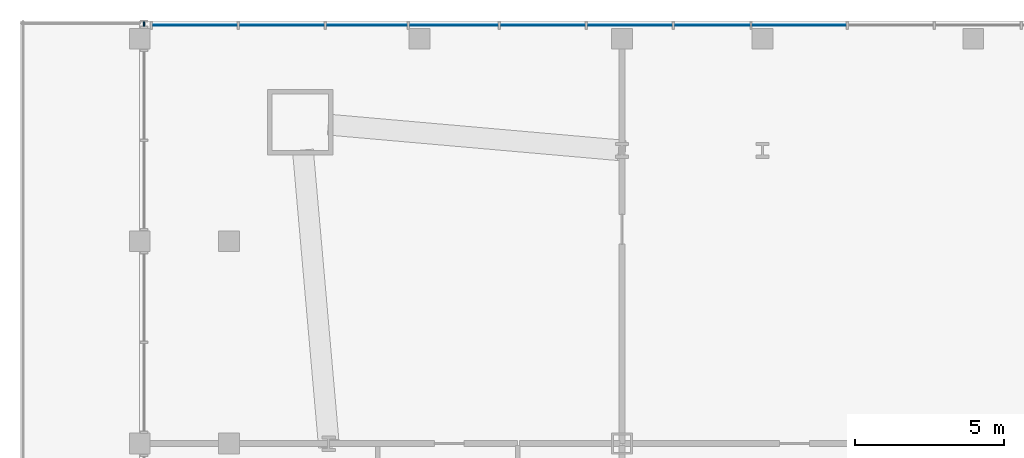
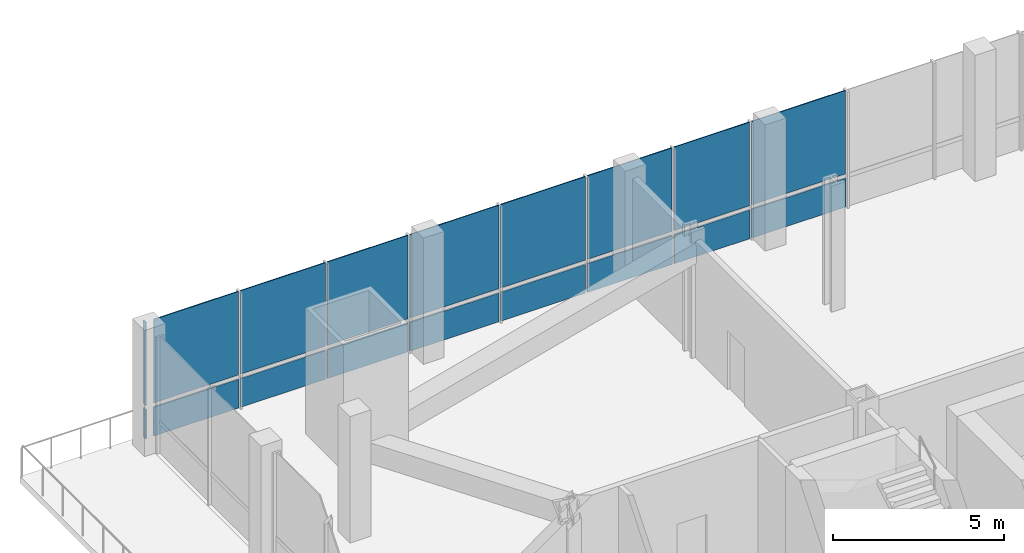
# One storey, part 10 of 15: 18 plates, 2 elements without a shape of their own.
"""IFC4 building model written with IfcOpenShell, lengths in metres."""

from ifc_helpers import new_model, si_unit, direction, frame, origin, origin_2d, place, context, subcontext, project, spatial, rectangle, extrude, material, layer, layer_set, type_object, element, aggregate, save


model = new_model("IFC4")

# Units and contexts
model_context = context("Model", 3, precision=1e-05, world=origin(), true_north=direction((0.0, 1.0)))
body_context = subcontext(model_context, "Body", "Model", "MODEL_VIEW")
ifc_project = project(units=[si_unit("LENGTHUNIT", "METRE"), si_unit("AREAUNIT", "SQUARE_METRE"), si_unit("VOLUMEUNIT", "CUBIC_METRE"), si_unit("PLANEANGLEUNIT", "RADIAN"), si_unit("MASSUNIT", "GRAM", prefix="KILO")], contexts=[model_context])

# Site, building, storey
site_placement = place(None, origin())
site = spatial("IfcSite", under=ifc_project, at=site_placement, CompositionType="ELEMENT")
building_placement = place(site_placement, origin())
building = spatial("IfcBuilding", under=site, at=building_placement, Name="Turquesa Mirador Hotel Tower", CompositionType="ELEMENT")
storey_placement = place(building_placement, frame((0.0, 0.0, 16.0)))
storey = spatial("IfcBuildingStorey", under=building, at=storey_placement, Name="L03", CompositionType="ELEMENT", Elevation=16.0)

# Curtain wall, plates
ifc_material_1 = material(Name="Aluminium extrusion", Category="aluminium")
curtain_wall_type = type_object("IfcCurtainWallType", Name="CW-3 PODIUM UPPER CURTAIN WALL", PredefinedType="USERDEFINED", material=ifc_material_1)
curtain_wall_1_placement = place(storey_placement, origin())
curtain_wall_1 = element("IfcCurtainWall", 1, at=curtain_wall_1_placement, inside=storey, type_object=curtain_wall_type, Name="CW-3 PODIUM UPPER CURTAIN WALL L03", ObjectType="CURTAIN WALL", PredefinedType="USERDEFINED")
ifc_material_2 = material(Name="Ceramic-printed spandrel glass on an insulated back pan", Category="glass")
ifc_layer_1 = layer(ifc_material_2, 0.050048828125)
ifc_layer_set_1 = layer_set([ifc_layer_1], Name="CW PANEL SPANDREL CERAMIC")
plate_type_1 = type_object("IfcPlateType", Name="CW PANEL SPANDREL CERAMIC", PredefinedType="CURTAIN_PANEL", material=ifc_layer_set_1)
plate_1_placement = place(storey_placement, frame((49.15234375, 70.85009765625, 0.0), z_axis=(0.0, 0.0, 1.0), x_axis=(-1.0, 0.0, 0.0)))
plate_1 = element("IfcPlate", 2, at=plate_1_placement, type_object=plate_type_1, Name="Panel", PredefinedType="CURTAIN_PANEL", context=body_context, shape_type="SweptSolid", body=[
    extrude(rectangle(XDim=3.168701171875, YDim=0.050048828125, at=origin_2d()), origin(), (0.0, 0.0, 1.0), 1.02490234375),
])
plate_2_placement = place(storey_placement, frame((46.229248046875, 70.85009765625, 0.0), z_axis=(0.0, 0.0, 1.0), x_axis=(-1.0, 0.0, 0.0)))
plate_2 = element("IfcPlate", 3, at=plate_2_placement, type_object=plate_type_1, Name="Panel", PredefinedType="CURTAIN_PANEL", context=body_context, shape_type="SweptSolid", body=[
    extrude(rectangle(XDim=2.547607421875, YDim=0.050048828125, at=origin_2d()), origin(), (0.0, 0.0, 1.0), 1.02490234375),
])
plate_3_placement = place(storey_placement, frame((43.46142578125, 70.85009765625, 0.0), z_axis=(0.0, 0.0, 1.0), x_axis=(-1.0, 0.0, 0.0)))
plate_3 = element("IfcPlate", 4, at=plate_3_placement, type_object=plate_type_1, Name="Panel", PredefinedType="CURTAIN_PANEL", context=body_context, shape_type="SweptSolid", body=[
    extrude(rectangle(XDim=2.858154296875, YDim=0.050048828125, at=origin_2d()), origin(), (0.0, 0.0, 1.0), 1.02490234375),
])
plate_4_placement = place(storey_placement, frame((40.538330078125, 70.85009765625, 0.0), z_axis=(0.0, 0.0, 1.0), x_axis=(-1.0, 0.0, 0.0)))
plate_4 = element("IfcPlate", 5, at=plate_4_placement, type_object=plate_type_1, Name="Panel", PredefinedType="CURTAIN_PANEL", context=body_context, shape_type="SweptSolid", body=[
    extrude(rectangle(XDim=2.858154296875, YDim=0.050048828125, at=origin_2d()), origin(), (0.0, 0.0, 1.0), 1.02490234375),
])
plate_5_placement = place(storey_placement, frame((37.546142578125, 70.85009765625, 0.0), z_axis=(0.0, 0.0, 1.0), x_axis=(-1.0, 0.0, 0.0)))
plate_5 = element("IfcPlate", 6, at=plate_5_placement, type_object=plate_type_1, Name="Panel", PredefinedType="CURTAIN_PANEL", context=body_context, shape_type="SweptSolid", body=[
    extrude(rectangle(XDim=2.996337890625, YDim=0.050048828125, at=origin_2d()), origin(), (0.0, 0.0, 1.0), 1.02490234375),
])
plate_6_placement = place(storey_placement, frame((34.623046875, 70.85009765625, 0.0), z_axis=(0.0, 0.0, 1.0), x_axis=(-1.0, 0.0, 0.0)))
plate_6 = element("IfcPlate", 7, at=plate_6_placement, type_object=plate_type_1, Name="Panel", PredefinedType="CURTAIN_PANEL", context=body_context, shape_type="SweptSolid", body=[
    extrude(rectangle(XDim=2.7197265625, YDim=0.050048828125, at=origin_2d()), origin(), (0.0, 0.0, 1.0), 1.02490234375),
])
plate_7_placement = place(storey_placement, frame((31.76904296875, 70.85009765625, 0.0), z_axis=(0.0, 0.0, 1.0), x_axis=(-1.0, 0.0, 0.0)))
plate_7 = element("IfcPlate", 8, at=plate_7_placement, type_object=plate_type_1, Name="Panel", PredefinedType="CURTAIN_PANEL", context=body_context, shape_type="SweptSolid", body=[
    extrude(rectangle(XDim=2.858154296875, YDim=0.050048828125, at=origin_2d()), origin(), (0.0, 0.0, 1.0), 1.02490234375),
])
plate_8_placement = place(storey_placement, frame((28.845947265625, 70.85009765625, 0.0), z_axis=(0.0, 0.0, 1.0), x_axis=(-1.0, 0.0, 0.0)))
plate_8 = element("IfcPlate", 9, at=plate_8_placement, type_object=plate_type_1, Name="Panel", PredefinedType="CURTAIN_PANEL", context=body_context, shape_type="SweptSolid", body=[
    extrude(rectangle(XDim=2.858154296875, YDim=0.050048828125, at=origin_2d()), origin(), (0.0, 0.0, 1.0), 1.02490234375),
])

# Curtain wall, plate
curtain_wall_2_placement = place(storey_placement, origin())
curtain_wall_2 = element("IfcCurtainWall", 10, at=curtain_wall_2_placement, inside=storey, type_object=curtain_wall_type, Name="CW-3 PODIUM UPPER CURTAIN WALL L03", ObjectType="CURTAIN WALL", PredefinedType="USERDEFINED")
plate_9_placement = place(storey_placement, frame((27.14990234375, 70.892333984375, 0.0), z_axis=(0.0, 0.0, 1.0), x_axis=(0.0, -1.0, 0.0)))
plate_9 = element("IfcPlate", 11, at=plate_9_placement, type_object=plate_type_1, Name="Panel", PredefinedType="CURTAIN_PANEL", context=body_context, shape_type="SweptSolid", body=[
    extrude(rectangle(XDim=0.150390625, YDim=0.050048828125, at=origin_2d()), origin(), (0.0, 0.0, 1.0), 1.02490234375),
])

# Plate
ifc_material_3 = material(Name="Ceramic-fritted laminated glass", Category="glass")
ifc_layer_2 = layer(ifc_material_3, 0.031982421875)
ifc_layer_set_2 = layer_set([ifc_layer_2], Name="CW PANEL VISION FRITTED")
plate_type_2 = type_object("IfcPlateType", Name="CW PANEL VISION FRITTED", PredefinedType="CURTAIN_PANEL", material=ifc_layer_set_2)
plate_10_placement = place(storey_placement, frame((49.15234375, 70.85009765625, 1.175048828125), z_axis=(0.0, 0.0, 1.0), x_axis=(-1.0, 0.0, 0.0)))
plate_10 = element("IfcPlate", 12, at=plate_10_placement, type_object=plate_type_2, Name="Panel", PredefinedType="CURTAIN_PANEL", context=body_context, shape_type="SweptSolid", body=[
    extrude(rectangle(XDim=3.168701171875, YDim=0.031982421875, at=origin_2d()), origin(), (0.0, 0.0, 1.0), 2.97509765625),
])

plate_11_placement = place(storey_placement, frame((46.229248046875, 70.85009765625, 1.175048828125), z_axis=(0.0, 0.0, 1.0), x_axis=(-1.0, 0.0, 0.0)))
plate_11 = element("IfcPlate", 13, at=plate_11_placement, type_object=plate_type_2, Name="Panel", PredefinedType="CURTAIN_PANEL", context=body_context, shape_type="SweptSolid", body=[
    extrude(rectangle(XDim=2.547607421875, YDim=0.031982421875, at=origin_2d()), origin(), (0.0, 0.0, 1.0), 2.97509765625),
])

plate_12_placement = place(storey_placement, frame((43.46142578125, 70.85009765625, 1.175048828125), z_axis=(0.0, 0.0, 1.0), x_axis=(-1.0, 0.0, 0.0)))
plate_12 = element("IfcPlate", 14, at=plate_12_placement, type_object=plate_type_2, Name="Panel", PredefinedType="CURTAIN_PANEL", context=body_context, shape_type="SweptSolid", body=[
    extrude(rectangle(XDim=2.858154296875, YDim=0.031982421875, at=origin_2d()), origin(), (0.0, 0.0, 1.0), 2.97509765625),
])

plate_13_placement = place(storey_placement, frame((40.538330078125, 70.85009765625, 1.175048828125), z_axis=(0.0, 0.0, 1.0), x_axis=(-1.0, 0.0, 0.0)))
plate_13 = element("IfcPlate", 15, at=plate_13_placement, type_object=plate_type_2, Name="Panel", PredefinedType="CURTAIN_PANEL", context=body_context, shape_type="SweptSolid", body=[
    extrude(rectangle(XDim=2.858154296875, YDim=0.031982421875, at=origin_2d()), origin(), (0.0, 0.0, 1.0), 2.97509765625),
])

plate_14_placement = place(storey_placement, frame((37.546142578125, 70.85009765625, 1.175048828125), z_axis=(0.0, 0.0, 1.0), x_axis=(-1.0, 0.0, 0.0)))
plate_14 = element("IfcPlate", 16, at=plate_14_placement, type_object=plate_type_2, Name="Panel", PredefinedType="CURTAIN_PANEL", context=body_context, shape_type="SweptSolid", body=[
    extrude(rectangle(XDim=2.996337890625, YDim=0.031982421875, at=origin_2d()), origin(), (0.0, 0.0, 1.0), 2.97509765625),
])

plate_15_placement = place(storey_placement, frame((34.623046875, 70.85009765625, 1.175048828125), z_axis=(0.0, 0.0, 1.0), x_axis=(-1.0, 0.0, 0.0)))
plate_15 = element("IfcPlate", 17, at=plate_15_placement, type_object=plate_type_2, Name="Panel", PredefinedType="CURTAIN_PANEL", context=body_context, shape_type="SweptSolid", body=[
    extrude(rectangle(XDim=2.7197265625, YDim=0.031982421875, at=origin_2d()), origin(), (0.0, 0.0, 1.0), 2.97509765625),
])

plate_16_placement = place(storey_placement, frame((31.76904296875, 70.85009765625, 1.175048828125), z_axis=(0.0, 0.0, 1.0), x_axis=(-1.0, 0.0, 0.0)))
plate_16 = element("IfcPlate", 18, at=plate_16_placement, type_object=plate_type_2, Name="Panel", PredefinedType="CURTAIN_PANEL", context=body_context, shape_type="SweptSolid", body=[
    extrude(rectangle(XDim=2.858154296875, YDim=0.031982421875, at=origin_2d()), origin(), (0.0, 0.0, 1.0), 2.97509765625),
])

plate_17_placement = place(storey_placement, frame((28.845947265625, 70.85009765625, 1.175048828125), z_axis=(0.0, 0.0, 1.0), x_axis=(-1.0, 0.0, 0.0)))
plate_17 = element("IfcPlate", 19, at=plate_17_placement, type_object=plate_type_2, Name="Panel", PredefinedType="CURTAIN_PANEL", context=body_context, shape_type="SweptSolid", body=[
    extrude(rectangle(XDim=2.858154296875, YDim=0.031982421875, at=origin_2d()), origin(), (0.0, 0.0, 1.0), 2.97509765625),
])

aggregate(curtain_wall_1, [plate_1, plate_10, plate_2, plate_11, plate_3, plate_12, plate_4, plate_13, plate_5, plate_14, plate_6, plate_15, plate_7, plate_16, plate_8, plate_17])

plate_18_placement = place(storey_placement, frame((27.14990234375, 70.892333984375, 1.175048828125), z_axis=(0.0, 0.0, 1.0), x_axis=(0.0, -1.0, 0.0)))
plate_18 = element("IfcPlate", 20, at=plate_18_placement, type_object=plate_type_2, Name="Panel", PredefinedType="CURTAIN_PANEL", context=body_context, shape_type="SweptSolid", body=[
    extrude(rectangle(XDim=0.150390625, YDim=0.031982421875, at=origin_2d()), origin(), (0.0, 0.0, 1.0), 2.97509765625),
])

aggregate(curtain_wall_2, [plate_9, plate_18])

save(model, "model.ifc")
